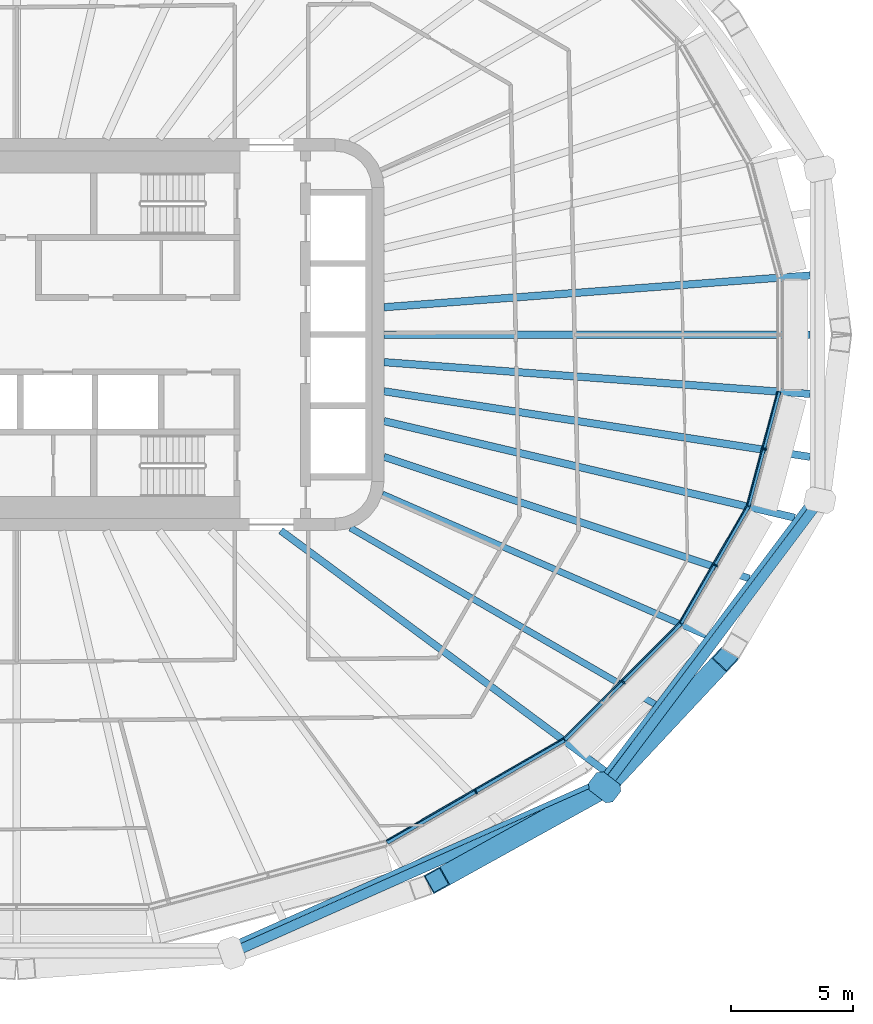
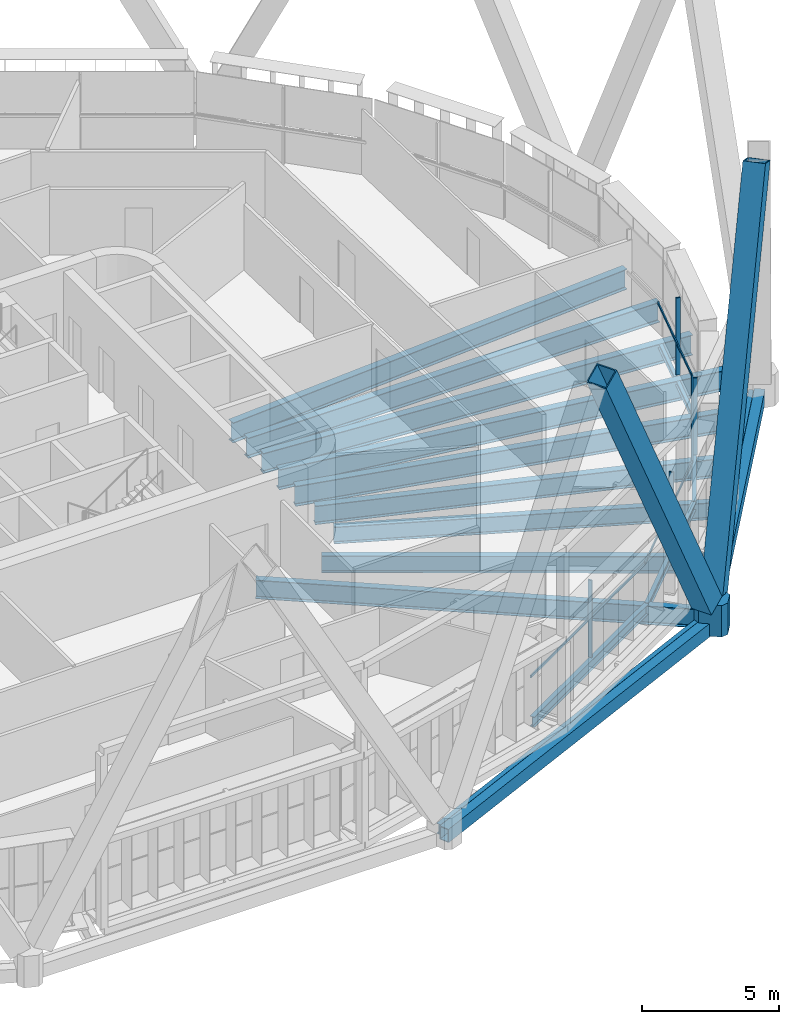
# One storey, part 5 of 25: 17 beams, 11 members, 4 elements without a shape of their own.
"""IFC4 building model written with IfcOpenShell, lengths in metres."""

from ifc_helpers import new_model, si_unit, direction, frame, origin, origin_2d, place, context, subcontext, project, spatial, polyline, rectangle, hollow_rectangle, i_section, outline, extrude, material, layer, layer_set, material_profile, profile_set, type_object, element, aggregate, save


model = new_model("IFC4")

# Units and contexts
model_context = context("Model", 3, precision=1e-05, world=origin(), true_north=direction((0.0, 1.0)))
body_context = subcontext(model_context, "Body", "Model", "MODEL_VIEW")
ifc_project = project(units=[si_unit("LENGTHUNIT", "METRE"), si_unit("AREAUNIT", "SQUARE_METRE"), si_unit("VOLUMEUNIT", "CUBIC_METRE"), si_unit("PLANEANGLEUNIT", "RADIAN"), si_unit("MASSUNIT", "GRAM", prefix="KILO")], contexts=[model_context])

# Site, building, storey
site_placement = place(None, origin())
site = spatial("IfcSite", under=ifc_project, at=site_placement, CompositionType="ELEMENT")
building_placement = place(site_placement, origin())
building = spatial("IfcBuilding", under=site, at=building_placement, Name="Sahrelin Media Tower", CompositionType="ELEMENT")
storey_placement = place(building_placement, frame((0.0, 0.0, 165.60009765625)))
storey = spatial("IfcBuildingStorey", under=building, at=storey_placement, Name="L34", CompositionType="ELEMENT", Elevation=165.60009765625)

# Members
ifc_material_1 = material(Name="Steel S460", Category="steel")
ifc_material_profile_1 = material_profile(ifc_material_1, hollow_rectangle(XDim=0.85009765625, YDim=0.85009765625, WallThickness=0.044921875, at=origin_2d()), Name="Diagrid diagonal DG4")
ifc_profile_set_1 = profile_set([ifc_material_profile_1], Name="Steel S460")
member_type_1 = type_object("IfcMemberType", Name="Diagrid diagonal DG4", PredefinedType="BRACE", material=ifc_profile_set_1)
member_1_placement = place(storey_placement, frame((23.69384765625, -18.652099609375, 0.699951171875), z_axis=(-0.398674830387, -0.221022968388, 0.890060237883), x_axis=(0.484866509738, -0.87458817036, 0.0)))
element("IfcMember", 1, at=member_1_placement, inside=storey, type_object=member_type_1, Name="Diagrid diagonal D07-20", PredefinedType="BRACE", context=body_context, shape_type="SweptSolid", body=[
    extrude(hollow_rectangle(XDim=0.85009765625, YDim=0.85009765625, WallThickness=0.044921875, at=origin_2d()), origin(), (0.0, 0.0, 1.0), 16.4033203125),
])
member_2_placement = place(storey_placement, frame((24.233154296875, -18.237060546875, 0.699951171875), z_axis=(0.291734755252, 0.311755323124, 0.904267355975), x_axis=(-0.730163113627, 0.683272879236, 0.0)))
element("IfcMember", 2, at=member_2_placement, inside=storey, type_object=member_type_1, Name="Diagrid diagonal D07-21", PredefinedType="BRACE", context=body_context, shape_type="SweptSolid", body=[
    extrude(hollow_rectangle(XDim=0.85009765625, YDim=0.85009765625, WallThickness=0.044921875, at=origin_2d()), origin(), (0.0, 0.0, 1.0), 16.1455078125),
])
ifc_material_profile_2 = material_profile(ifc_material_1, outline(polyline([(0.425048828125, -0.47509765625), (0.625, -0.27490234375), (0.625, 0.27490234375), (0.425048828125, 0.47509765625), (-0.425048828125, 0.47509765625), (-0.625, 0.27490234375), (-0.625, -0.27490234375), (-0.425048828125, -0.47509765625), (0.425048828125, -0.47509765625)])), Name="Diagrid node block 1250")
ifc_profile_set_2 = profile_set([ifc_material_profile_2], Name="Steel S460")
member_type_2 = type_object("IfcMemberType", Name="Diagrid node block 1250", PredefinedType="USERDEFINED", material=ifc_profile_set_2)
member_3_placement = place(storey_placement, frame((24.00732421875, -18.478515625, -0.7001953125), z_axis=(0.0, 0.0, 1.0), x_axis=(0.792446158195, -0.609941871297, 0.0)))
element("IfcMember", 3, at=member_3_placement, inside=storey, type_object=member_type_2, Name="Diagrid node N07-10", ObjectType="NODE", PredefinedType="USERDEFINED", context=body_context, shape_type="SweptSolid", body=[
    extrude(outline(polyline([(0.425048828125, -0.47509765625), (0.625, -0.27490234375), (0.625, 0.27490234375), (0.425048828125, 0.47509765625), (-0.425048828125, 0.47509765625), (-0.625, 0.27490234375), (-0.625, -0.27490234375), (-0.425048828125, -0.47509765625), (0.425048828125, -0.47509765625)])), origin(), (0.0, 0.0, 1.0), 1.400146484375),
])

# Beams
ifc_material_profile_3 = material_profile(ifc_material_1, hollow_rectangle(XDim=0.39990234375, YDim=0.60009765625, WallThickness=0.030029296875, at=origin_2d()), Name="Diagrid ring beam RB1")
ifc_profile_set_3 = profile_set([ifc_material_profile_3], Name="Steel S460")
beam_type_1 = type_object("IfcBeamType", Name="Diagrid ring beam RB1", PredefinedType="BEAM", material=ifc_profile_set_3)
beam_1_placement = place(storey_placement, frame((8.787353515625, -25.241943359375, -0.4501953125), z_axis=(0.913833912986, 0.406088142498, 0.0), x_axis=(-0.406088142498, 0.913833912986, 0.0)))
element("IfcBeam", 4, at=beam_1_placement, inside=storey, type_object=beam_type_1, Name="Diagrid ring beam RB07-09", PredefinedType="BEAM", context=body_context, shape_type="SweptSolid", body=[
    extrude(hollow_rectangle(XDim=0.39990234375, YDim=0.60009765625, WallThickness=0.030029296875, at=origin_2d()), origin(), (0.0, 0.0, 1.0), 16.655029296875),
])
beam_2_placement = place(storey_placement, frame((24.00732421875, -18.478515625, -0.4501953125), z_axis=(0.600053347115, 0.799959986885, 0.0), x_axis=(-0.799959986885, 0.600053347115, 0.0)))
element("IfcBeam", 5, at=beam_2_placement, inside=storey, type_object=beam_type_1, Name="Diagrid ring beam RB07-10", PredefinedType="BEAM", context=body_context, shape_type="SweptSolid", body=[
    extrude(hollow_rectangle(XDim=0.39990234375, YDim=0.60009765625, WallThickness=0.030029296875, at=origin_2d()), origin(), (0.0, 0.0, 1.0), 14.644287109375),
])
ifc_material_2 = material(Name="Steel S355", Category="steel")
ifc_material_profile_4 = material_profile(ifc_material_2, i_section(OverallWidth=0.14599609375, OverallDepth=0.25146484375, WebThickness=0.006103515625, FlangeThickness=0.008544921875, FilletRadius=0.007568359375, at=origin_2d()), Name="UB 254x146x31")
ifc_profile_set_4 = profile_set([ifc_material_profile_4], Name="Steel S355")
beam_type_2 = type_object("IfcBeamType", Name="Edge beam EB1", PredefinedType="BEAM", material=ifc_profile_set_4)
beam_3_placement = place(storey_placement, frame((31.13037109375, -2.33203125, -0.27587890625), z_axis=(-0.258778273705, -0.96593675003, 0.0), x_axis=(0.96593675003, -0.258778273705, 0.0)))
element("IfcBeam", 6, at=beam_3_placement, inside=storey, type_object=beam_type_2, Name="Edge beam L34-02", PredefinedType="BEAM", context=body_context, shape_type="SweptSolid", body=[
    extrude(i_section(OverallWidth=0.14599609375, OverallDepth=0.25146484375, WebThickness=0.006103515625, FlangeThickness=0.008544921875, FilletRadius=0.007568359375, at=origin_2d()), origin(), (0.0, 0.0, 1.0), 4.821044921875),
])
ifc_material_profile_5 = material_profile(ifc_material_2, i_section(OverallWidth=0.1650390625, OverallDepth=0.303466796875, WebThickness=0.006103515625, FlangeThickness=0.01025390625, FilletRadius=0.0087890625, at=origin_2d()), Name="UB 305x165x40")
ifc_profile_set_5 = profile_set([ifc_material_profile_5], Name="Steel S355")
beam_type_3 = type_object("IfcBeamType", Name="Edge beam EB2", PredefinedType="BEAM", material=ifc_profile_set_5)
beam_4_placement = place(storey_placement, frame((29.87158203125, -7.015380859375, -0.3017578125), z_axis=(-0.499995531332, -0.866027983755, 0.0), x_axis=(0.866027983755, -0.499995531332, 0.0)))
element("IfcBeam", 7, at=beam_4_placement, inside=storey, type_object=beam_type_3, Name="Edge beam L34-03", PredefinedType="BEAM", context=body_context, shape_type="SweptSolid", body=[
    extrude(i_section(OverallWidth=0.1650390625, OverallDepth=0.303466796875, WebThickness=0.006103515625, FlangeThickness=0.01025390625, FilletRadius=0.0087890625, at=origin_2d()), origin(), (0.0, 0.0, 1.0), 5.49462890625),
])
ifc_material_profile_6 = material_profile(ifc_material_2, i_section(OverallWidth=0.17138671875, OverallDepth=0.35498046875, WebThickness=0.00732421875, FlangeThickness=0.011474609375, FilletRadius=0.01025390625, at=origin_2d()), Name="UB 356x171x51")
ifc_profile_set_6 = profile_set([ifc_material_profile_6], Name="Steel S355")
beam_type_4 = type_object("IfcBeamType", Name="Edge beam EB3", PredefinedType="BEAM", material=ifc_profile_set_6)
beam_5_placement = place(storey_placement, frame((27.106689453125, -11.796875, -0.32763671875), z_axis=(-0.707106781187, -0.707106781187, 0.0), x_axis=(0.707106781187, -0.707106781187, 0.0)))
element("IfcBeam", 8, at=beam_5_placement, inside=storey, type_object=beam_type_4, Name="Edge beam L34-04", PredefinedType="BEAM", context=body_context, shape_type="SweptSolid", body=[
    extrude(i_section(OverallWidth=0.17138671875, OverallDepth=0.35498046875, WebThickness=0.00732421875, FlangeThickness=0.011474609375, FilletRadius=0.01025390625, at=origin_2d()), origin(), (0.0, 0.0, 1.0), 6.68994140625),
])
ifc_material_profile_7 = material_profile(ifc_material_2, i_section(OverallWidth=0.1904296875, OverallDepth=0.45703125, WebThickness=0.009033203125, FlangeThickness=0.014404296875, FilletRadius=0.01025390625, at=origin_2d()), Name="UB 457x191x74")
ifc_profile_set_7 = profile_set([ifc_material_profile_7], Name="Steel S355")
beam_type_5 = type_object("IfcBeamType", Name="Edge beam EB5", PredefinedType="BEAM", material=ifc_profile_set_7)
beam_6_placement = place(storey_placement, frame((22.353515625, -16.544921875, -0.378662109375), z_axis=(-0.866033256399, -0.499986398626, 0.0), x_axis=(0.499986398626, -0.866033256399, 0.0)))
element("IfcBeam", 9, at=beam_6_placement, inside=storey, type_object=beam_type_5, Name="Edge beam L34-05", PredefinedType="BEAM", context=body_context, shape_type="SweptSolid", body=[
    extrude(i_section(OverallWidth=0.1904296875, OverallDepth=0.45703125, WebThickness=0.009033203125, FlangeThickness=0.014404296875, FilletRadius=0.01025390625, at=origin_2d()), origin(), (0.0, 0.0, 1.0), 8.353759765625),
])

# Curtain wall, member
ifc_material_3 = material(Name="Champagne anodised aluminium 6063-T6", Category="aluminium")
ifc_layer = layer(ifc_material_3, 0.14990234375)
ifc_layer_set = layer_set([ifc_layer], Name="Tower ribbon curtain wall")
curtain_wall_type = type_object("IfcCurtainWallType", Name="Tower ribbon curtain wall", PredefinedType="NOTDEFINED", material=ifc_layer_set)
curtain_wall_1_placement = place(storey_placement, frame((18.81103515625, -18.76318359375, 0.0), z_axis=(0.0, 0.0, 1.0), x_axis=(1.0, 0.0, 0.0)))
curtain_wall_1 = element("IfcCurtainWall", 10, at=curtain_wall_1_placement, inside=storey, type_object=curtain_wall_type, Name="L34:CW:L34-20", PredefinedType="NOTDEFINED")
ifc_material_profile_8 = material_profile(ifc_material_3, rectangle(XDim=0.06005859375, YDim=0.175048828125, at=origin_2d()), Name="Mullion 60x175")
ifc_profile_set_8 = profile_set([ifc_material_profile_8], Name="Champagne anodised aluminium 6063-T6")
member_type_3 = type_object("IfcMemberType", Name="Mullion 60x175 CW1B", PredefinedType="MULLION", material=ifc_profile_set_8)
member_4_placement = place(storey_placement, frame((18.75732421875, -18.670166015625, 0.0), z_axis=(0.0, 0.0, 1.0), x_axis=(0.866027149108, 0.499996976998, 0.0)))
member_4 = element("IfcMember", 11, at=member_4_placement, type_object=member_type_3, Name="L34:CWM:L34-20", PredefinedType="MULLION", context=body_context, shape_type="SweptSolid", body=[
    extrude(rectangle(XDim=0.06005859375, YDim=0.175048828125, at=origin_2d()), origin(), (0.0, 0.0, 1.0), 3.448486328125),
])

curtain_wall_2_placement = place(storey_placement, frame((24.84765625, -14.268310546875, 0.0), z_axis=(0.0, 0.0, 1.0), x_axis=(1.0, 0.0, 0.0)))
curtain_wall_2 = element("IfcCurtainWall", 12, at=curtain_wall_2_placement, inside=storey, type_object=curtain_wall_type, Name="L34:CW:L34-21", PredefinedType="NOTDEFINED")
member_5_placement = place(storey_placement, frame((24.771484375, -14.192138671875, 0.0), z_axis=(0.0, 0.0, 1.0), x_axis=(0.707099376343, 0.707114185953, 0.0)))
member_5 = element("IfcMember", 13, at=member_5_placement, type_object=member_type_3, Name="L34:CWM:L34-21", PredefinedType="MULLION", context=body_context, shape_type="SweptSolid", body=[
    extrude(rectangle(XDim=0.06005859375, YDim=0.175048828125, at=origin_2d()), origin(), (0.0, 0.0, 1.0), 3.448486328125),
])

curtain_wall_3_placement = place(storey_placement, frame((28.627685546875, -9.4697265625, 0.0), z_axis=(0.0, 0.0, 1.0), x_axis=(1.0, 0.0, 0.0)))
curtain_wall_3 = element("IfcCurtainWall", 14, at=curtain_wall_3_placement, inside=storey, type_object=curtain_wall_type, Name="L34:CW:L34-22", PredefinedType="NOTDEFINED")
member_6_placement = place(storey_placement, frame((28.534912109375, -9.416015625, 0.0), z_axis=(0.0, 0.0, 1.0), x_axis=(0.500003022996, 0.86602365845, 0.0)))
member_6 = element("IfcMember", 15, at=member_6_placement, type_object=member_type_3, Name="L34:CWM:L34-22", PredefinedType="MULLION", context=body_context, shape_type="SweptSolid", body=[
    extrude(rectangle(XDim=0.06005859375, YDim=0.175048828125, at=origin_2d()), origin(), (0.0, 0.0, 1.0), 3.448486328125),
])

curtain_wall_4_placement = place(storey_placement, frame((30.651611328125, -4.69921875, 0.0), z_axis=(0.0, 0.0, 1.0), x_axis=(1.0, 0.0, 0.0)))
curtain_wall_4 = element("IfcCurtainWall", 16, at=curtain_wall_4_placement, inside=storey, type_object=curtain_wall_type, Name="L34:CW:L34-23", PredefinedType="NOTDEFINED")
member_7_placement = place(storey_placement, frame((30.547607421875, -4.67138671875, 0.0), z_axis=(0.0, 0.0, 1.0), x_axis=(0.258813987523, 0.965927181449, 0.0)))
member_7 = element("IfcMember", 17, at=member_7_placement, type_object=member_type_3, Name="L34:CWM:L34-23", PredefinedType="MULLION", context=body_context, shape_type="SweptSolid", body=[
    extrude(rectangle(XDim=0.06005859375, YDim=0.175048828125, at=origin_2d()), origin(), (0.0, 0.0, 1.0), 3.448486328125),
])

# Beams
ifc_material_profile_9 = material_profile(ifc_material_2, i_section(OverallWidth=0.291748046875, OverallDepth=0.8349609375, WebThickness=0.013916015625, FlangeThickness=0.018798828125, FilletRadius=0.017822265625, at=origin_2d()), Name="UB 838x292x176")
ifc_profile_set_9 = profile_set([ifc_material_profile_9], Name="Steel S355")
beam_type_6 = type_object("IfcBeamType", Name="Radial primary beam PB10", PredefinedType="BEAM", material=ifc_profile_set_9)
beam_7_placement = place(storey_placement, frame((10.78564453125, -8.0, -0.567626953125), z_axis=(0.8031817712, -0.59573403664, 0.0), x_axis=(0.59573403664, 0.8031817712, 0.0)))
element("IfcBeam", 18, at=beam_7_placement, inside=storey, type_object=beam_type_6, Name="Radial beam L34-21", PredefinedType="BEAM", context=body_context, shape_type="SweptSolid", body=[
    extrude(i_section(OverallWidth=0.291748046875, OverallDepth=0.8349609375, WebThickness=0.013916015625, FlangeThickness=0.018798828125, FilletRadius=0.017822265625, at=origin_2d()), origin(), (0.0, 0.0, 1.0), 16.46923828125),
])
ifc_material_profile_10 = material_profile(ifc_material_2, i_section(OverallWidth=0.30322265625, OverallDepth=0.903076171875, WebThickness=0.01513671875, FlangeThickness=0.020263671875, FilletRadius=0.01904296875, at=origin_2d()), Name="UB 914x305x201")
ifc_profile_set_10 = profile_set([ifc_material_profile_10], Name="Steel S355")
beam_type_7 = type_object("IfcBeamType", Name="Radial primary beam PB11", PredefinedType="BEAM", material=ifc_profile_set_10)
beam_8_placement = place(storey_placement, frame((15.0, 1.120849609375, -0.6015625), z_axis=(0.997220246432, 0.074510268455, 0.0), x_axis=(-0.074510268455, 0.997220246432, 0.0)))
element("IfcBeam", 19, at=beam_8_placement, inside=storey, type_object=beam_type_7, Name="Radial beam L34-01", PredefinedType="BEAM", context=body_context, shape_type="SweptSolid", body=[
    extrude(i_section(OverallWidth=0.30322265625, OverallDepth=0.903076171875, WebThickness=0.01513671875, FlangeThickness=0.020263671875, FilletRadius=0.01904296875, at=origin_2d()), origin(), (0.0, 0.0, 1.0), 17.447998046875),
])
beam_9_placement = place(storey_placement, frame((15.0, -3.5283203125, -0.6015625), z_axis=(0.973436681, -0.228956389045, 0.0), x_axis=(0.228956389045, 0.973436681, 0.0)))
element("IfcBeam", 20, at=beam_9_placement, inside=storey, type_object=beam_type_7, Name="Radial beam L34-23", PredefinedType="BEAM", context=body_context, shape_type="SweptSolid", body=[
    extrude(i_section(OverallWidth=0.30322265625, OverallDepth=0.903076171875, WebThickness=0.01513671875, FlangeThickness=0.020263671875, FilletRadius=0.01904296875, at=origin_2d()), origin(), (0.0, 0.0, 1.0), 17.226318359375),
])
beam_10_placement = place(storey_placement, frame((15.0, -1.120849609375, -0.6015625), z_axis=(0.997220246432, -0.074510268455, 0.0), x_axis=(0.074510268455, 0.997220246432, 0.0)))
element("IfcBeam", 21, at=beam_10_placement, inside=storey, type_object=beam_type_7, Name="Radial beam L34-24", PredefinedType="BEAM", context=body_context, shape_type="SweptSolid", body=[
    extrude(i_section(OverallWidth=0.30322265625, OverallDepth=0.903076171875, WebThickness=0.01513671875, FlangeThickness=0.020263671875, FilletRadius=0.01904296875, at=origin_2d()), origin(), (0.0, 0.0, 1.0), 17.447998046875),
])
ifc_material_profile_11 = material_profile(ifc_material_2, i_section(OverallWidth=0.26513671875, OverallDepth=0.75390625, WebThickness=0.0126953125, FlangeThickness=0.017578125, FilletRadius=0.0166015625, at=origin_2d()), Name="UB 762x267x147")
ifc_profile_set_11 = profile_set([ifc_material_profile_11], Name="Steel S355")
beam_type_8 = type_object("IfcBeamType", Name="Radial primary beam PB9", PredefinedType="BEAM", material=ifc_profile_set_11)
beam_11_placement = place(storey_placement, frame((14.9326171875, -6.512451171875, -0.527099609375), z_axis=(0.916619523291, -0.399760740346, 0.0), x_axis=(0.399760740346, 0.916619523291, 0.0)))
element("IfcBeam", 22, at=beam_11_placement, inside=storey, type_object=beam_type_8, Name="Radial beam L34-22", PredefinedType="BEAM", context=body_context, shape_type="SweptSolid", body=[
    extrude(i_section(OverallWidth=0.26513671875, OverallDepth=0.75390625, WebThickness=0.0126953125, FlangeThickness=0.017578125, FilletRadius=0.0166015625, at=origin_2d()), origin(), (0.0, 0.0, 1.0), 14.431884765625),
])
ifc_material_profile_12 = material_profile(ifc_material_2, i_section(OverallWidth=0.291748046875, OverallDepth=0.8349609375, WebThickness=0.013916015625, FlangeThickness=0.018798828125, FilletRadius=0.017822265625, at=origin_2d()), Name="UB 838x292x176")
ifc_profile_set_12 = profile_set([ifc_material_profile_12], Name="Steel S355")
beam_type_9 = type_object("IfcBeamType", Name="Radial secondary beam SB10", PredefinedType="BEAM", material=ifc_profile_set_12)
beam_12_placement = place(storey_placement, frame((15.0, -4.98974609375, -0.567626953125), z_axis=(0.948878876725, -0.315640424068, 0.0), x_axis=(0.315640424068, 0.948878876725, 0.0)))
element("IfcBeam", 23, at=beam_12_placement, inside=storey, type_object=beam_type_9, Name="Secondary beam L34-22", PredefinedType="BEAM", context=body_context, shape_type="SweptSolid", body=[
    extrude(i_section(OverallWidth=0.291748046875, OverallDepth=0.8349609375, WebThickness=0.013916015625, FlangeThickness=0.018798828125, FilletRadius=0.017822265625, at=origin_2d()), origin(), (0.0, 0.0, 1.0), 15.7138671875),
])
ifc_material_profile_13 = material_profile(ifc_material_2, i_section(OverallWidth=0.30322265625, OverallDepth=0.903076171875, WebThickness=0.01513671875, FlangeThickness=0.020263671875, FilletRadius=0.01904296875, at=origin_2d()), Name="UB 914x305x201")
ifc_profile_set_13 = profile_set([ifc_material_profile_13], Name="Steel S355")
beam_type_10 = type_object("IfcBeamType", Name="Radial secondary beam SB11", PredefinedType="BEAM", material=ifc_profile_set_13)
beam_13_placement = place(storey_placement, frame((15.0, -2.31005859375, -0.6015625), z_axis=(0.988349401934, -0.152202035784, 0.0), x_axis=(0.152202035784, 0.988349401934, 0.0)))
element("IfcBeam", 24, at=beam_13_placement, inside=storey, type_object=beam_type_10, Name="Secondary beam L34-23", PredefinedType="BEAM", context=body_context, shape_type="SweptSolid", body=[
    extrude(i_section(OverallWidth=0.30322265625, OverallDepth=0.903076171875, WebThickness=0.01513671875, FlangeThickness=0.020263671875, FilletRadius=0.01904296875, at=origin_2d()), origin(), (0.0, 0.0, 1.0), 17.6044921875),
])
beam_14_placement = place(storey_placement, frame((15.0, 0.0, -0.6015625), z_axis=(1.0, 0.0, 0.0), x_axis=(0.0, 1.0, 0.0)))
element("IfcBeam", 25, at=beam_14_placement, inside=storey, type_object=beam_type_10, Name="Secondary beam L34-24", PredefinedType="BEAM", context=body_context, shape_type="SweptSolid", body=[
    extrude(i_section(OverallWidth=0.30322265625, OverallDepth=0.903076171875, WebThickness=0.01513671875, FlangeThickness=0.020263671875, FilletRadius=0.01904296875, at=origin_2d()), origin(), (0.0, 0.0, 1.0), 17.3994140625),
])
ifc_material_profile_14 = material_profile(ifc_material_2, i_section(OverallWidth=0.26513671875, OverallDepth=0.75390625, WebThickness=0.0126953125, FlangeThickness=0.017578125, FilletRadius=0.0166015625, at=origin_2d()), Name="UB 762x267x147")
ifc_profile_set_14 = profile_set([ifc_material_profile_14], Name="Steel S355")
beam_type_11 = type_object("IfcBeamType", Name="Radial secondary beam SB9", PredefinedType="BEAM", material=ifc_profile_set_14)
beam_15_placement = place(storey_placement, frame((13.625732421875, -7.88720703125, -0.527099609375), z_axis=(0.865463515193, -0.500971959165, 0.0), x_axis=(0.500971959165, 0.865463515193, 0.0)))
element("IfcBeam", 26, at=beam_15_placement, inside=storey, type_object=beam_type_11, Name="Secondary beam L34-21", PredefinedType="BEAM", context=body_context, shape_type="SweptSolid", body=[
    extrude(i_section(OverallWidth=0.26513671875, OverallDepth=0.75390625, WebThickness=0.0126953125, FlangeThickness=0.017578125, FilletRadius=0.0166015625, at=origin_2d()), origin(), (0.0, 0.0, 1.0), 14.3662109375),
])
ifc_material_profile_15 = material_profile(ifc_material_2, i_section(OverallWidth=0.1904296875, OverallDepth=0.45703125, WebThickness=0.009033203125, FlangeThickness=0.014404296875, FilletRadius=0.01025390625, at=origin_2d()), Name="UB 457x191x74")
ifc_profile_set_15 = profile_set([ifc_material_profile_15], Name="Steel S355")
beam_type_12 = type_object("IfcBeamType", Name="Tie chord TC5", PredefinedType="BEAM", material=ifc_profile_set_15)
beam_16_placement = place(storey_placement, frame((32.494384765625, -6.66357421875, -0.378662109375), z_axis=(-0.600043204126, -0.799967595083, 0.0), x_axis=(0.799967595083, -0.600043204126, 0.0)))
element("IfcBeam", 27, at=beam_16_placement, inside=storey, type_object=beam_type_12, Name="Tie chord L34-02", PredefinedType="BEAM", context=body_context, shape_type="SweptSolid", body=[
    extrude(i_section(OverallWidth=0.1904296875, OverallDepth=0.45703125, WebThickness=0.009033203125, FlangeThickness=0.014404296875, FilletRadius=0.01025390625, at=origin_2d()), origin(), (0.0, 0.0, 1.0), 14.4658203125),
])
beam_17_placement = place(storey_placement, frame((23.814208984375, -18.23583984375, -0.378662109375), z_axis=(-0.913831056717, -0.406094569994, 0.0), x_axis=(0.406094569994, -0.913831056717, 0.0)))
element("IfcBeam", 28, at=beam_17_placement, inside=storey, type_object=beam_type_12, Name="Tie chord L34-03", PredefinedType="BEAM", context=body_context, shape_type="SweptSolid", body=[
    extrude(i_section(OverallWidth=0.1904296875, OverallDepth=0.45703125, WebThickness=0.009033203125, FlangeThickness=0.014404296875, FilletRadius=0.01025390625, at=origin_2d()), origin(), (0.0, 0.0, 1.0), 16.513427734375),
])

# Member
ifc_material_profile_16 = material_profile(ifc_material_3, rectangle(XDim=0.050048828125, YDim=0.110107421875, at=origin_2d()), Name="Transom 50x110")
ifc_profile_set_16 = profile_set([ifc_material_profile_16], Name="Champagne anodised aluminium 6063-T6")
member_type_4 = type_object("IfcMemberType", Name="Transom 50x110 CW1B", PredefinedType="USERDEFINED", material=ifc_profile_set_16)
member_8_placement = place(storey_placement, frame((15.097412109375, -20.6533203125, 1.599853515625), z_axis=(0.866024861332, 0.500000939553, 0.0), x_axis=(-0.500000939553, 0.866024861332, 0.0)))
member_8 = element("IfcMember", 29, at=member_8_placement, type_object=member_type_4, Name="L34:CWT:L34-20", ObjectType="TRANSOM", PredefinedType="USERDEFINED", context=body_context, shape_type="SweptSolid", body=[
    extrude(rectangle(XDim=0.050048828125, YDim=0.110107421875, at=origin_2d()), origin(), (0.0, 0.0, 1.0), 8.322265625),
])

aggregate(curtain_wall_1, [member_4, member_8])

member_9_placement = place(storey_placement, frame((22.337890625, -16.466796875, 1.599853515625), z_axis=(0.707106781187, 0.707106781187, 0.0), x_axis=(-0.707106781187, 0.707106781187, 0.0)))
member_9 = element("IfcMember", 30, at=member_9_placement, type_object=member_type_4, Name="L34:CWT:L34-21", ObjectType="TRANSOM", PredefinedType="USERDEFINED", context=body_context, shape_type="SweptSolid", body=[
    extrude(rectangle(XDim=0.050048828125, YDim=0.110107421875, at=origin_2d()), origin(), (0.0, 0.0, 1.0), 6.658447265625),
])

aggregate(curtain_wall_2, [member_5, member_9])

member_10_placement = place(storey_placement, frame((27.071533203125, -11.725341796875, 1.599853515625), z_axis=(0.499998384012, 0.866026336773, 0.0), x_axis=(-0.866026336773, 0.499998384012, 0.0)))
member_10 = element("IfcMember", 31, at=member_10_placement, type_object=member_type_4, Name="L34:CWT:L34-22", ObjectType="TRANSOM", PredefinedType="USERDEFINED", context=body_context, shape_type="SweptSolid", body=[
    extrude(rectangle(XDim=0.050048828125, YDim=0.110107421875, at=origin_2d()), origin(), (0.0, 0.0, 1.0), 5.46337890625),
])

aggregate(curtain_wall_3, [member_6, member_10])

member_11_placement = place(storey_placement, frame((29.819091796875, -6.95556640625, 1.599853515625), z_axis=(0.258836299126, 0.965921202922, 0.0), x_axis=(-0.965921202922, 0.258836299126, 0.0)))
member_11 = element("IfcMember", 32, at=member_11_placement, type_object=member_type_4, Name="L34:CWT:L34-23", ObjectType="TRANSOM", PredefinedType="USERDEFINED", context=body_context, shape_type="SweptSolid", body=[
    extrude(rectangle(XDim=0.050048828125, YDim=0.110107421875, at=origin_2d()), origin(), (0.0, 0.0, 1.0), 4.789794921875),
])

aggregate(curtain_wall_4, [member_7, member_11])

save(model, "model.ifc")
